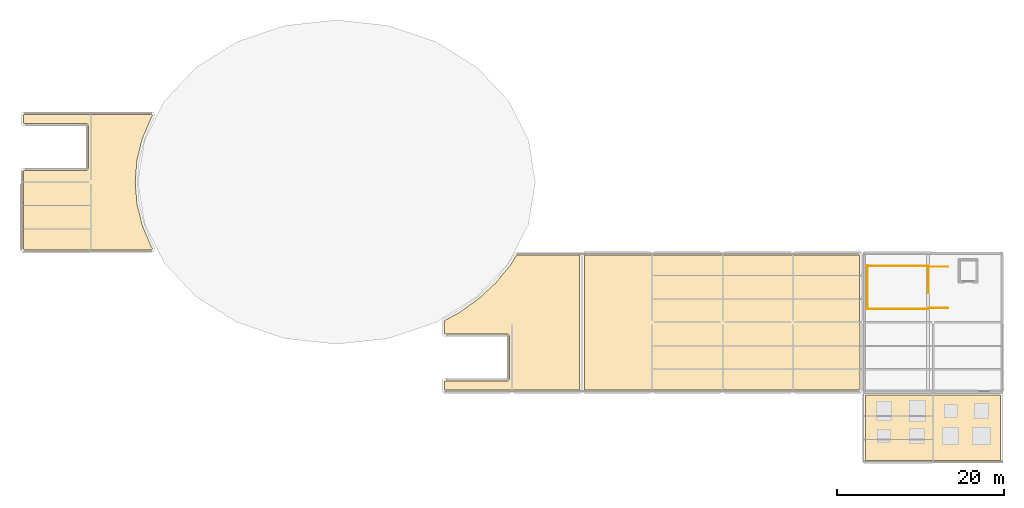
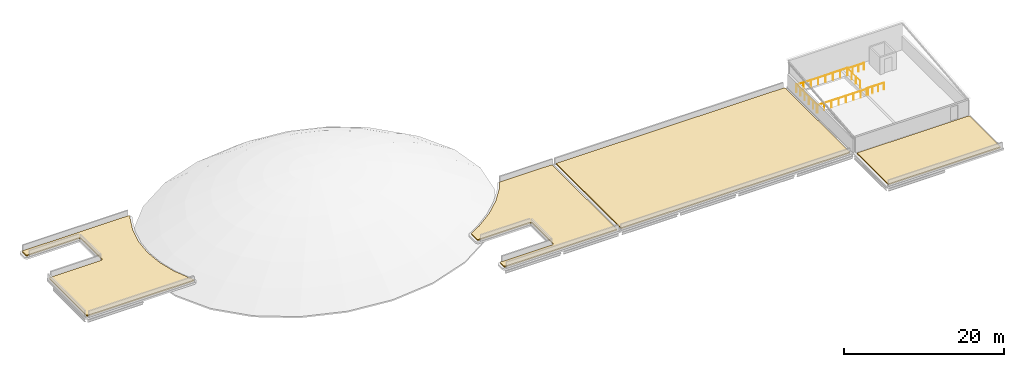
# One storey, part 5 of 5: 6 railings, 4 coverings.
"""IFC4 building model written with IfcOpenShell, lengths in metres."""

from ifc_helpers import new_model, si_unit, derived_unit, direction, frame, origin, origin_2d, place, context, subcontext, project, spatial, polyline, circle, outline, extrude, material, layer, layer_set, type_object, element, save


model = new_model("IFC4")

# Units and contexts
model_context = context("Model", 3, precision=1e-05, world=origin(), true_north=direction((0.0, 1.0)))
body_context = subcontext(model_context, "Body", "Model", "MODEL_VIEW")
ifc_project = project(units=[si_unit("LENGTHUNIT", "METRE"), si_unit("AREAUNIT", "SQUARE_METRE"), si_unit("VOLUMEUNIT", "CUBIC_METRE"), si_unit("PLANEANGLEUNIT", "RADIAN"), si_unit("MASSUNIT", "GRAM", prefix="KILO"), derived_unit("THERMALTRANSMITTANCEUNIT", [(si_unit("POWERUNIT", "WATT"), 1), (si_unit("LENGTHUNIT", "METRE"), -2), (si_unit("THERMODYNAMICTEMPERATUREUNIT", "KELVIN"), -1)])], contexts=[model_context])

# Site, building, storey
site_placement = place(None, origin())
site = spatial("IfcSite", under=ifc_project, at=site_placement, CompositionType="ELEMENT")
building_placement = place(site_placement, origin())
building = spatial("IfcBuilding", under=site, at=building_placement, Name="Elbkamm Science Centre", CompositionType="ELEMENT")
storey_placement = place(building_placement, frame((0.0, 0.0, 25.5)))
storey = spatial("IfcBuildingStorey", under=building, at=storey_placement, Name="RF", CompositionType="ELEMENT", Elevation=25.5)

# Coverings
ifc_material_1 = material(Name="EPDM waterproof roofing membrane and mineral wool insulation")
ifc_layer = layer(ifc_material_1, 0.179931640625)
ifc_layer_set = layer_set([ifc_layer], Name="EPDM waterproof roofing membrane and mineral wool insulation")
covering_type = type_object("IfcCoveringType", Name="COV-ROOFING-180", PredefinedType="ROOFING", material=ifc_layer_set)
covering_1_placement = place(storey_placement, origin())
element("IfcCovering", 1, at=covering_1_placement, inside=storey, type_object=covering_type, Name="RF Insulated Roof Membrane Covering 20", PredefinedType="ROOFING", context=body_context, shape_type="SweptSolid", body=[
    extrude(outline(polyline([(25.50634765625, 68.49853515625), (25.510986328125, 68.511962890625), (25.51708984375, 68.525390625), (25.5244140625, 68.53759765625), (25.53271484375, 68.54931640625), (25.5419921875, 68.56005859375), (25.552490234375, 68.56982421875), (25.563720703125, 68.57861328125), (25.575927734375, 68.58642578125), (25.58837890625, 68.5927734375), (25.60205078125, 68.597900390625), (25.615966796875, 68.60205078125), (25.6298828125, 68.6044921875), (25.644287109375, 68.60595703125), (25.658203125, 68.605712890625), (25.6728515625, 68.604248046875), (25.686767578125, 68.601318359375), (25.70263671875, 68.596435546875), (25.71044921875, 68.593505859375), (25.739990234375, 68.586181640625), (25.769775390625, 68.58154296875), (25.800048828125, 68.580078125), (32.97998046875, 68.580078125), (33.009521484375, 68.581298828125), (33.03857421875, 68.585693359375), (33.067138671875, 68.593017578125), (33.0947265625, 68.602783203125), (33.121337890625, 68.615478515625), (33.146728515625, 68.630615234375), (33.17041015625, 68.648193359375), (33.192138671875, 68.66796875), (33.2119140625, 68.689697265625), (33.2294921875, 68.71337890625), (33.24462890625, 68.738525390625), (33.257080078125, 68.76513671875), (33.26708984375, 68.79296875), (33.274169921875, 68.821533203125), (33.278564453125, 68.8505859375), (33.280029296875, 68.8798828125), (33.280029296875, 73.919921875), (33.278564453125, 73.949462890625), (33.274169921875, 73.978515625), (33.26708984375, 74.007080078125), (33.257080078125, 74.034912109375), (33.24462890625, 74.061279296875), (33.2294921875, 74.086669921875), (33.2119140625, 74.1103515625), (33.192138671875, 74.132080078125), (33.17041015625, 74.15185546875), (33.146728515625, 74.16943359375), (33.121337890625, 74.1845703125), (33.0947265625, 74.197265625), (33.067138671875, 74.20703125), (33.03857421875, 74.214111328125), (33.009521484375, 74.218505859375), (32.97998046875, 74.219970703125), (25.800048828125, 74.219970703125), (25.769287109375, 74.218505859375), (25.73876953125, 74.213623046875), (25.708984375, 74.205810546875), (25.68505859375, 74.1982421875), (25.6728515625, 74.19580078125), (25.658203125, 74.1943359375), (25.644287109375, 74.194091796875), (25.6298828125, 74.1953125), (25.615966796875, 74.197998046875), (25.60205078125, 74.201904296875), (25.58837890625, 74.207275390625), (25.575927734375, 74.213623046875), (25.563720703125, 74.221435546875), (25.552490234375, 74.230224609375), (25.5419921875, 74.239990234375), (25.53271484375, 74.250732421875), (25.5244140625, 74.26220703125), (25.51708984375, 74.274658203125), (25.510986328125, 74.2880859375), (25.50634765625, 74.301513671875), (25.503173828125, 74.31494140625), (25.501220703125, 74.329345703125), (25.5, 74.35107421875), (25.5, 75.142578125), (25.501220703125, 75.164794921875), (25.503173828125, 75.17919921875), (25.506591796875, 75.193115234375), (25.511962890625, 75.20751953125), (25.51806640625, 75.220703125), (25.525634765625, 75.233154296875), (25.5341796875, 75.244873046875), (25.544189453125, 75.255859375), (25.55517578125, 75.265869140625), (25.56689453125, 75.2744140625), (25.579345703125, 75.281982421875), (25.592529296875, 75.2880859375), (25.60693359375, 75.293212890625), (25.620849609375, 75.296875), (25.63525390625, 75.298828125), (25.657470703125, 75.300048828125), (40.796142578125, 75.300048828125), (40.817626953125, 75.298828125), (40.83203125, 75.296875), (40.845947265625, 75.29345703125), (40.859619140625, 75.288818359375), (40.872802734375, 75.28271484375), (40.885009765625, 75.275390625), (40.896728515625, 75.26708984375), (40.907470703125, 75.257568359375), (40.91748046875, 75.2470703125), (40.926025390625, 75.235595703125), (40.93359375, 75.2236328125), (40.940185546875, 75.210693359375), (40.9453125, 75.197021484375), (40.94921875, 75.18310546875), (40.951904296875, 75.169189453125), (40.952880859375, 75.155029296875), (40.952880859375, 75.140380859375), (40.951171875, 75.12646484375), (40.9482421875, 75.1123046875), (40.94384765625, 75.09814453125), (40.938232421875, 75.0849609375), (40.927978515625, 75.066162109375), (40.8994140625, 75.01904296875), (40.76025390625, 74.7890625), (40.75830078125, 74.785888671875), (40.75439453125, 74.779296875), (40.7529296875, 74.77685546875), (40.73876953125, 74.748779296875), (40.737548828125, 74.74609375), (40.7353515625, 74.740966796875), (40.7333984375, 74.736328125), (40.73291015625, 74.735107421875), (40.2548828125, 73.58740234375), (39.73779296875, 72.346435546875), (39.736572265625, 72.343505859375), (39.732177734375, 72.33251953125), (39.731201171875, 72.32958984375), (39.724365234375, 72.309326171875), (39.723388671875, 72.306396484375), (39.71923828125, 72.29150390625), (39.718017578125, 72.28662109375), (39.114501953125, 69.8134765625), (39.11376953125, 69.810791015625), (39.10986328125, 69.79345703125), (39.109375, 69.790283203125), (39.106201171875, 69.7705078125), (39.105712890625, 69.767333984375), (39.104248046875, 69.753662109375), (39.10400390625, 69.748779296875), (38.901611328125, 67.23291015625), (38.9013671875, 67.229736328125), (38.900146484375, 67.212646484375), (38.900146484375, 67.20947265625), (38.900146484375, 67.190673828125), (38.900146484375, 67.1875), (38.90087890625, 67.173828125), (38.9013671875, 67.168701171875), (38.901611328125, 67.16748046875), (39.074462890625, 65.01708984375), (39.10400390625, 64.65234375), (39.10400390625, 64.64990234375), (39.105712890625, 64.632568359375), (39.106201171875, 64.62939453125), (39.109375, 64.609619140625), (39.10986328125, 64.6064453125), (39.114013671875, 64.587890625), (39.11474609375, 64.585205078125), (39.718017578125, 62.114501953125), (39.718505859375, 62.11181640625), (39.723388671875, 62.093505859375), (39.724365234375, 62.090576171875), (39.731201171875, 62.0703125), (39.732177734375, 62.0673828125), (39.7353515625, 62.059326171875), (39.7373046875, 62.0546875), (39.73779296875, 62.053955078125), (39.932861328125, 61.585205078125), (40.73291015625, 59.6650390625), (40.734130859375, 59.661865234375), (40.737548828125, 59.654052734375), (40.73876953125, 59.6513671875), (40.7529296875, 59.623291015625), (40.75439453125, 59.62060546875), (40.756591796875, 59.6171875), (40.759033203125, 59.61279296875), (40.76025390625, 59.61083984375), (40.927978515625, 59.333740234375), (40.938232421875, 59.31494140625), (40.94384765625, 59.3017578125), (40.9482421875, 59.28759765625), (40.951171875, 59.273681640625), (40.952880859375, 59.259521484375), (40.952880859375, 59.2451171875), (40.951904296875, 59.230712890625), (40.94921875, 59.216796875), (40.9453125, 59.202880859375), (40.940185546875, 59.189208984375), (40.93359375, 59.176513671875), (40.926025390625, 59.164306640625), (40.91748046875, 59.153076171875), (40.907470703125, 59.142578125), (40.896728515625, 59.1328125), (40.885009765625, 59.12451171875), (40.872802734375, 59.117431640625), (40.859619140625, 59.111328125), (40.845947265625, 59.1064453125), (40.83203125, 59.10302734375), (40.817626953125, 59.10107421875), (40.796142578125, 59.10009765625), (25.657470703125, 59.10009765625), (25.63525390625, 59.10107421875), (25.620849609375, 59.103271484375), (25.60693359375, 59.106689453125), (25.592529296875, 59.11181640625), (25.579345703125, 59.1181640625), (25.56689453125, 59.12548828125), (25.55517578125, 59.13427734375), (25.544189453125, 59.144287109375), (25.5341796875, 59.155029296875), (25.525634765625, 59.166748046875), (25.51806640625, 59.17919921875), (25.511962890625, 59.192626953125), (25.506591796875, 59.206787109375), (25.503173828125, 59.220703125), (25.501220703125, 59.235107421875), (25.5, 59.257568359375), (25.5, 68.448974609375), (25.501220703125, 68.470703125), (25.503173828125, 68.485107421875), (25.50634765625, 68.49853515625)])), origin(), (0.0, 0.0, 1.0), 0.179931640625),
])
covering_2_placement = place(storey_placement, origin())
element("IfcCovering", 2, at=covering_2_placement, inside=storey, type_object=covering_type, Name="RF Insulated Roof Membrane Covering 21", PredefinedType="ROOFING", context=body_context, shape_type="SweptSolid", body=[
    extrude(outline(polyline([(75.906494140625, 43.298583984375), (75.9111328125, 43.31201171875), (75.917236328125, 43.325439453125), (75.92431640625, 43.337646484375), (75.9326171875, 43.349365234375), (75.942138671875, 43.360107421875), (75.952392578125, 43.369873046875), (75.9638671875, 43.378662109375), (75.97607421875, 43.386474609375), (75.988525390625, 43.392578125), (76.001953125, 43.39794921875), (76.015869140625, 43.402099609375), (76.02978515625, 43.404541015625), (76.044189453125, 43.406005859375), (76.058349609375, 43.40576171875), (76.07275390625, 43.404296875), (76.0869140625, 43.4013671875), (76.102783203125, 43.396484375), (76.110595703125, 43.3935546875), (76.139892578125, 43.385986328125), (76.169921875, 43.381591796875), (76.199951171875, 43.3798828125), (83.3798828125, 43.3798828125), (83.409423828125, 43.38134765625), (83.4384765625, 43.3857421875), (83.467041015625, 43.392822265625), (83.494873046875, 43.40283203125), (83.521484375, 43.415283203125), (83.546630859375, 43.4306640625), (83.5703125, 43.447998046875), (83.592041015625, 43.468017578125), (83.61181640625, 43.48974609375), (83.62939453125, 43.51318359375), (83.64453125, 43.53857421875), (83.6572265625, 43.565185546875), (83.6669921875, 43.593017578125), (83.67431640625, 43.62158203125), (83.6787109375, 43.650634765625), (83.679931640625, 43.679931640625), (83.679931640625, 48.719970703125), (83.6787109375, 48.74951171875), (83.67431640625, 48.778564453125), (83.6669921875, 48.80712890625), (83.6572265625, 48.834716796875), (83.64453125, 48.861328125), (83.62939453125, 48.88671875), (83.61181640625, 48.910400390625), (83.592041015625, 48.93212890625), (83.5703125, 48.951904296875), (83.546630859375, 48.969482421875), (83.521484375, 48.984619140625), (83.494873046875, 48.997314453125), (83.467041015625, 49.007080078125), (83.4384765625, 49.01416015625), (83.409423828125, 49.0185546875), (83.3798828125, 49.02001953125), (76.199951171875, 49.02001953125), (76.169189453125, 49.018310546875), (76.138916015625, 49.013671875), (76.10888671875, 49.005859375), (76.085205078125, 48.998291015625), (76.07275390625, 48.995849609375), (76.058349609375, 48.994384765625), (76.044189453125, 48.994140625), (76.02978515625, 48.995361328125), (76.015869140625, 48.998046875), (76.001953125, 49.001953125), (75.988525390625, 49.00732421875), (75.97607421875, 49.013671875), (75.9638671875, 49.021484375), (75.952392578125, 49.0302734375), (75.942138671875, 49.039794921875), (75.9326171875, 49.05078125), (75.92431640625, 49.062255859375), (75.917236328125, 49.07470703125), (75.9111328125, 49.087890625), (75.906494140625, 49.101318359375), (75.903076171875, 49.114990234375), (75.901123046875, 49.12939453125), (75.89990234375, 49.15087890625), (75.89990234375, 50.505615234375), (75.90087890625, 50.527587890625), (75.903076171875, 50.541748046875), (75.906494140625, 50.5556640625), (75.91162109375, 50.569580078125), (75.917724609375, 50.5830078125), (75.92529296875, 50.595703125), (75.933837890625, 50.607421875), (75.943359375, 50.617919921875), (75.954345703125, 50.627685546875), (75.966064453125, 50.63671875), (75.984619140625, 50.64794921875), (77.620849609375, 51.538818359375), (77.621826171875, 51.539306640625), (77.6279296875, 51.542724609375), (77.64111328125, 51.550537109375), (77.6455078125, 51.552978515625), (77.660888671875, 51.5634765625), (77.66650390625, 51.5673828125), (77.66748046875, 51.568115234375), (79.422119140625, 52.82177734375), (79.992431640625, 53.2294921875), (79.998291015625, 53.2333984375), (80.014404296875, 53.24609375), (80.018310546875, 53.249267578125), (80.03173828125, 53.2607421875), (80.037109375, 53.265625), (80.03759765625, 53.26611328125), (82.075927734375, 55.16015625), (82.077880859375, 55.161865234375), (82.08349609375, 55.1669921875), (82.094970703125, 55.1787109375), (82.0986328125, 55.1826171875), (82.11181640625, 55.197265625), (82.11669921875, 55.203125), (82.117919921875, 55.20458984375), (83.83447265625, 57.298095703125), (83.83935546875, 57.303955078125), (83.853271484375, 57.322265625), (83.8564453125, 57.326904296875), (83.8671875, 57.34326171875), (83.87158203125, 57.35009765625), (83.871826171875, 57.350830078125), (84.51953125, 58.4208984375), (84.532470703125, 58.440185546875), (84.542236328125, 58.451904296875), (84.553466796875, 58.462646484375), (84.565673828125, 58.47216796875), (84.578369140625, 58.480224609375), (84.592041015625, 58.487060546875), (84.6064453125, 58.492431640625), (84.621337890625, 58.496337890625), (84.63671875, 58.498779296875), (84.65966796875, 58.5), (92.10009765625, 58.5), (92.10009765625, 42.300048828125), (76.0576171875, 42.300048828125), (76.03515625, 42.301025390625), (76.020751953125, 42.30322265625), (76.0068359375, 42.306640625), (75.99267578125, 42.31201171875), (75.979248046875, 42.318115234375), (75.966796875, 42.32568359375), (75.955078125, 42.334228515625), (75.944091796875, 42.34423828125), (75.93408203125, 42.35498046875), (75.925537109375, 42.36669921875), (75.918212890625, 42.37939453125), (75.911865234375, 42.392578125), (75.90673828125, 42.406982421875), (75.9033203125, 42.4208984375), (75.901123046875, 42.435302734375), (75.89990234375, 42.45751953125), (75.89990234375, 43.2490234375), (75.901123046875, 43.270751953125), (75.903076171875, 43.284912109375), (75.906494140625, 43.298583984375)])), origin(), (0.0, 0.0, 1.0), 0.179931640625),
])
covering_3_placement = place(storey_placement, origin())
element("IfcCovering", 3, at=covering_3_placement, inside=storey, type_object=covering_type, Name="RF Insulated Roof Membrane Covering 22", PredefinedType="ROOFING", context=body_context, shape_type="SweptSolid", body=[
    extrude(outline(polyline([(125.46484375, 58.498779296875), (125.479248046875, 58.496826171875), (125.4931640625, 58.493408203125), (125.50732421875, 58.488037109375), (125.520751953125, 58.48193359375), (125.533203125, 58.474365234375), (125.544921875, 58.4658203125), (125.555908203125, 58.455810546875), (125.56591796875, 58.44482421875), (125.574462890625, 58.43310546875), (125.581787109375, 58.420654296875), (125.588134765625, 58.407470703125), (125.59326171875, 58.39306640625), (125.5966796875, 58.379150390625), (125.598876953125, 58.36474609375), (125.60009765625, 58.342529296875), (125.60009765625, 50.39990234375), (125.600341796875, 50.384765625), (125.600830078125, 50.375), (125.603515625, 50.347412109375), (125.60498046875, 50.337646484375), (125.611083984375, 50.306884765625), (125.61328125, 50.297607421875), (125.62158203125, 50.270751953125), (125.625, 50.261474609375), (125.636962890625, 50.232421875), (125.639892578125, 50.22607421875), (125.64111328125, 50.223388671875), (125.648193359375, 50.20849609375), (125.6533203125, 50.1943359375), (125.65673828125, 50.180419921875), (125.658935546875, 50.166015625), (125.659912109375, 50.1435546875), (125.659912109375, 42.45751953125), (125.658935546875, 42.435302734375), (125.65673828125, 42.4208984375), (125.6533203125, 42.406982421875), (125.648193359375, 42.392578125), (125.641845703125, 42.37939453125), (125.634521484375, 42.36669921875), (125.625732421875, 42.35498046875), (125.61572265625, 42.34423828125), (125.60498046875, 42.334228515625), (125.59326171875, 42.32568359375), (125.580810546875, 42.318115234375), (125.5673828125, 42.31201171875), (125.552978515625, 42.306640625), (125.539306640625, 42.30322265625), (125.52490234375, 42.301025390625), (125.50244140625, 42.300048828125), (92.699951171875, 42.300048828125), (92.699951171875, 58.5), (125.4423828125, 58.5), (125.46484375, 58.498779296875)])), origin(), (0.0, 0.0, 1.0), 0.179931640625),
])
covering_4_placement = place(storey_placement, origin())
element("IfcCovering", 4, at=covering_4_placement, inside=storey, type_object=covering_type, Name="RF Insulated Roof Membrane Covering 23", PredefinedType="ROOFING", context=body_context, shape_type="SweptSolid", body=[
    extrude(outline(polyline([(126.324951171875, 41.699951171875), (142.5, 41.699951171875), (142.5, 33.89990234375), (126.324951171875, 33.89990234375), (126.324951171875, 41.699951171875)])), origin(), (0.0, 0.0, 1.0), 0.179931640625),
])

# Railings
ifc_material_2 = material(Name="Stainless steel EN 1.4401", Category="steel")
railing_type = type_object("IfcRailingType", Name="RAIL-GUARD-1100", PredefinedType="GUARDRAIL", material=ifc_material_2)
railing_1_placement = place(storey_placement, frame((133.830078125, 57.1201171875, 0.0)))
element("IfcRailing", 5, at=railing_1_placement, inside=storey, type_object=railing_type, Name="RF ST-C3 top well guard 1", PredefinedType="GUARDRAIL", context=body_context, shape_type="SweptSolid", body=[
    extrude(circle(Radius=0.02392578125, at=origin_2d()), frame((0.0, 0.0, 1.078125), z_axis=(0.0, -1.0, 0.0), x_axis=(1.0, 0.0, 0.0)), (0.0, 0.0, 1.0), 3.22021484375),
    extrude(circle(Radius=0.02001953125, at=origin_2d()), origin(), (0.0, 0.0, 1.0), 1.048095703125),
    extrude(circle(Radius=0.02001953125, at=origin_2d()), frame((0.0, -1.073486328125, 0.0)), (0.0, 0.0, 1.0), 1.048095703125),
    extrude(circle(Radius=0.02001953125, at=origin_2d()), frame((0.0, -2.146728515625, 0.0)), (0.0, 0.0, 1.0), 1.048095703125),
    extrude(circle(Radius=0.02001953125, at=origin_2d()), frame((0.0, -3.22021484375, 0.0)), (0.0, 0.0, 1.0), 1.048095703125),
])
for number, where, name in (
    (6, (133.8798828125, 57.169921875, 0.0), "RF ST-C3 top well guard 2"),
    (7, (133.8798828125, 52.030029296875, 0.0), "RF ST-C3 top well guard 3"),
):
    element("IfcRailing", number, at=place(storey_placement, frame(where)), inside=storey, type_object=railing_type, Name=name, PredefinedType="GUARDRAIL", context=body_context, shape_type="SweptSolid", body=[
        extrude(circle(Radius=0.02392578125, at=origin_2d()), frame((0.0, 0.0, 1.078125), z_axis=(-1.0, 0.0, 0.0), x_axis=(0.0, -1.0, 0.0)), (0.0, 0.0, 1.0), 7.3798828125),
        extrude(circle(Radius=0.02001953125, at=origin_2d()), origin(), (0.0, 0.0, 1.0), 1.048095703125),
        extrude(circle(Radius=0.02001953125, at=origin_2d()), frame((-1.05419921875, 0.0, 0.0)), (0.0, 0.0, 1.0), 1.048095703125),
        extrude(circle(Radius=0.02001953125, at=origin_2d()), frame((-2.108642578125, 0.0, 0.0)), (0.0, 0.0, 1.0), 1.048095703125),
        extrude(circle(Radius=0.02001953125, at=origin_2d()), frame((-3.162841796875, 0.0, 0.0)), (0.0, 0.0, 1.0), 1.048095703125),
        extrude(circle(Radius=0.02001953125, at=origin_2d()), frame((-4.217041015625, 0.0, 0.0)), (0.0, 0.0, 1.0), 1.048095703125),
        extrude(circle(Radius=0.02001953125, at=origin_2d()), frame((-5.271240234375, 0.0, 0.0)), (0.0, 0.0, 1.0), 1.048095703125),
        extrude(circle(Radius=0.02001953125, at=origin_2d()), frame((-6.32568359375, 0.0, 0.0)), (0.0, 0.0, 1.0), 1.048095703125),
        extrude(circle(Radius=0.02001953125, at=origin_2d()), frame((-7.3798828125, 0.0, 0.0)), (0.0, 0.0, 1.0), 1.048095703125),
    ])
railing_2_placement = place(storey_placement, frame((126.550048828125, 57.219970703125, 0.0)))
element("IfcRailing", 8, at=railing_2_placement, inside=storey, type_object=railing_type, Name="RF ST-C3 top well guard 4", PredefinedType="GUARDRAIL", context=body_context, shape_type="SweptSolid", body=[
    extrude(circle(Radius=0.02392578125, at=origin_2d()), frame((0.0, 0.0, 1.078125), z_axis=(0.0, -1.0, 0.0), x_axis=(1.0, 0.0, 0.0)), (0.0, 0.0, 1.0), 5.239990234375),
    extrude(circle(Radius=0.02001953125, at=origin_2d()), origin(), (0.0, 0.0, 1.0), 1.048095703125),
    extrude(circle(Radius=0.02001953125, at=origin_2d()), frame((0.0, -1.048095703125, 0.0)), (0.0, 0.0, 1.0), 1.048095703125),
    extrude(circle(Radius=0.02001953125, at=origin_2d()), frame((0.0, -2.095947265625, 0.0)), (0.0, 0.0, 1.0), 1.048095703125),
    extrude(circle(Radius=0.02001953125, at=origin_2d()), frame((0.0, -3.14404296875, 0.0)), (0.0, 0.0, 1.0), 1.048095703125),
    extrude(circle(Radius=0.02001953125, at=origin_2d()), frame((0.0, -4.19189453125, 0.0)), (0.0, 0.0, 1.0), 1.048095703125),
    extrude(circle(Radius=0.02001953125, at=origin_2d()), frame((0.0, -5.239990234375, 0.0)), (0.0, 0.0, 1.0), 1.048095703125),
])
for number, where, name in (
    (9, (136.199951171875, 57.070068359375, 0.0), "RF ST-C3 top well guard 5"),
    (10, (136.199951171875, 52.1298828125, 0.0), "RF ST-C3 top well guard 6"),
):
    element("IfcRailing", number, at=place(storey_placement, frame(where)), inside=storey, type_object=railing_type, Name=name, PredefinedType="GUARDRAIL", context=body_context, shape_type="SweptSolid", body=[
        extrude(circle(Radius=0.02392578125, at=origin_2d()), frame((0.0, 0.0, 1.078125), z_axis=(-1.0, 0.0, 0.0), x_axis=(0.0, -1.0, 0.0)), (0.0, 0.0, 1.0), 2.419921875),
        extrude(circle(Radius=0.02001953125, at=origin_2d()), origin(), (0.0, 0.0, 1.0), 1.048095703125),
        extrude(circle(Radius=0.02001953125, at=origin_2d()), frame((-0.806640625, 0.0, 0.0)), (0.0, 0.0, 1.0), 1.048095703125),
        extrude(circle(Radius=0.02001953125, at=origin_2d()), frame((-1.61328125, 0.0, 0.0)), (0.0, 0.0, 1.0), 1.048095703125),
        extrude(circle(Radius=0.02001953125, at=origin_2d()), frame((-2.419921875, 0.0, 0.0)), (0.0, 0.0, 1.0), 1.048095703125),
    ])

save(model, "model.ifc")
